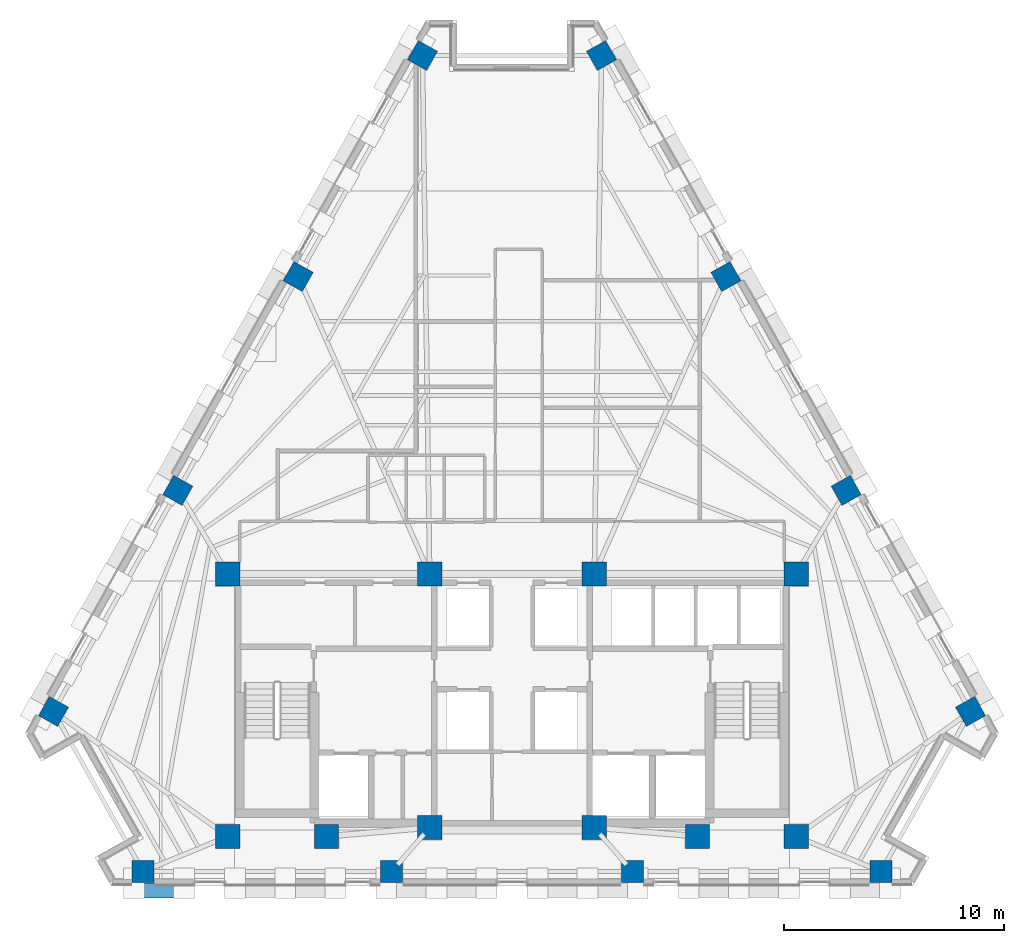
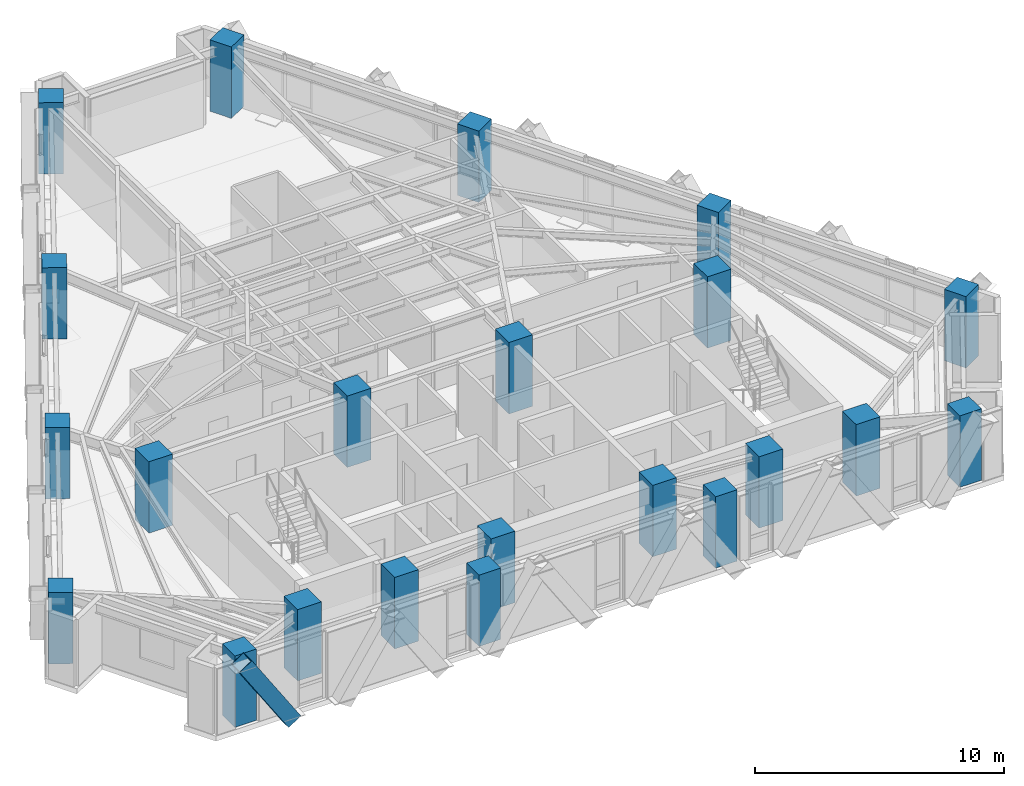
# One storey, part 1 of 13: 22 columns, 1 member.
"""IFC4 building model written with IfcOpenShell, lengths in metres."""

from ifc_helpers import new_model, si_unit, direction, frame, origin, origin_2d, place, context, subcontext, project, spatial, rectangle, hollow_rectangle, extrude, material, material_profile, profile_set, type_object, element, save


model = new_model("IFC4")

# Units and contexts
model_context = context("Model", 3, precision=1e-05, world=origin(), true_north=direction((0.0, 1.0)))
body_context = subcontext(model_context, "Body", "Model", "MODEL_VIEW")
ifc_project = project(units=[si_unit("LENGTHUNIT", "METRE"), si_unit("AREAUNIT", "SQUARE_METRE"), si_unit("VOLUMEUNIT", "CUBIC_METRE"), si_unit("PLANEANGLEUNIT", "RADIAN"), si_unit("MASSUNIT", "GRAM", prefix="KILO")], contexts=[model_context])

# Site, building, storey
site_placement = place(None, origin())
site = spatial("IfcSite", under=ifc_project, at=site_placement, CompositionType="ELEMENT")
building_placement = place(site_placement, origin())
building = spatial("IfcBuilding", under=site, at=building_placement, Name="Quenlor Broadcast Tower", CompositionType="ELEMENT")
storey_placement = place(building_placement, frame((0.0, 0.0, 147.5)))
storey = spatial("IfcBuildingStorey", under=building, at=storey_placement, Name="L40", CompositionType="ELEMENT", Elevation=147.5)

# Columns
ifc_material_1 = material(Name="Concrete C65/80", Category="concrete")
ifc_material_profile_1 = material_profile(ifc_material_1, rectangle(XDim=1.10009765625, YDim=1.10009765625, at=origin_2d()))
ifc_profile_set_1 = profile_set([ifc_material_profile_1], Name="Concrete C65/80 RC1100x1100")
column_type_1 = type_object("IfcColumnType", Name="Core Corner Column Mid Concrete C65/80 1100", PredefinedType="COLUMN", material=ifc_profile_set_1)
for number, where, z_axis, x_axis, name in (
    (1, (-12.949951171875, -16.75, 0.0), (0.0, 0.0, 1.0), (1.0, 0.0, 0.0), "L40 Core Column CC1"),
    (2, (-8.449951171875, -16.75, 0.0), (0.0, 0.0, 1.0), (1.0, 0.0, 0.0), "L40 Core Column CC2"),
    (3, (-3.75, -16.35009765625, 0.0), (0.0, 0.0, 1.0), (1.0, 0.0, 0.0), "L40 Core Column CC3"),
    (4, (3.75, -16.35009765625, 0.0), (0.0, 0.0, 1.0), (1.0, 0.0, 0.0), "L40 Core Column CC4"),
    (5, (8.449951171875, -16.75, 0.0), (0.0, 0.0, 1.0), (1.0, 0.0, 0.0), "L40 Core Column CC5"),
    (6, (12.949951171875, -16.75, 0.0), (0.0, 0.0, 1.0), (1.0, 0.0, 0.0), "L40 Core Column CC6"),
    (7, (-12.949951171875, -4.800048828125, 0.0), (0.0, 0.0, 1.0), (1.0, 0.0, 0.0), "L40 Core Column CC7"),
    (8, (-3.75, -4.800048828125, 0.0), (0.0, 0.0, 1.0), (1.0, 0.0, 0.0), "L40 Core Column CC8"),
    (9, (3.75, -4.800048828125, 0.0), (0.0, 0.0, 1.0), (1.0, 0.0, 0.0), "L40 Core Column CC9"),
    (10, (12.949951171875, -4.800048828125, 0.0), (0.0, 0.0, 1.0), (1.0, 0.0, 0.0), "L40 Core Column CC10"),
):
    element("IfcColumn", number, at=place(storey_placement, frame(where, z_axis=z_axis, x_axis=x_axis)), inside=storey, type_object=column_type_1, Name=name, PredefinedType="COLUMN", context=body_context, shape_type="SweptSolid", body=[
        extrude(rectangle(XDim=1.10009765625, YDim=1.10009765625, at=origin_2d()), origin(), (0.0, 0.0, 1.0), 3.5),
    ])
ifc_material_2 = material(Name="Concrete C50/60", Category="concrete")
ifc_material_profile_2 = material_profile(ifc_material_2, rectangle(XDim=1.0, YDim=1.0, at=origin_2d()))
ifc_profile_set_2 = profile_set([ifc_material_profile_2], Name="Concrete C50/60 RC1000x1000")
column_type_2 = type_object("IfcColumnType", Name="Tower Perimeter Column Z3 Concrete C50/60 1000", PredefinedType="COLUMN", material=ifc_profile_set_2)
for number, where, z_axis, x_axis, name in (
    (11, (-16.808349609375, -18.35009765625, 0.0), (0.0, 0.0, 1.0), (0.0, 1.0, 0.0), "L40 Perimeter Column S1"),
    (12, (-5.48095703125, -18.35009765625, 0.0), (0.0, 0.0, 1.0), (0.0, 1.0, 0.0), "L40 Perimeter Column S2"),
    (13, (5.48095703125, -18.35009765625, 0.0), (0.0, 0.0, 1.0), (0.0, 1.0, 0.0), "L40 Perimeter Column S3"),
    (14, (16.808349609375, -18.35009765625, 0.0), (0.0, 0.0, 1.0), (0.0, 1.0, 0.0), "L40 Perimeter Column S4"),
    (15, (20.8876953125, -11.0595703125, 0.0), (0.0, 0.0, 1.0), (0.871575139605, 0.490261946333, 0.0), "L40 Perimeter Column NE1"),
    (16, (15.22412109375, -0.99072265625, 0.0), (0.0, 0.0, 1.0), (0.871575139605, 0.490261946333, 0.0), "L40 Perimeter Column NE2"),
    (17, (9.742919921875, 8.75341796875, 0.0), (0.0, 0.0, 1.0), (0.871575139605, 0.490261946333, 0.0), "L40 Perimeter Column NE3"),
    (18, (4.079345703125, 18.822021484375, 0.0), (0.0, 0.0, 1.0), (0.871575139605, 0.490261946333, 0.0), "L40 Perimeter Column NE4"),
    (19, (-4.079345703125, 18.822021484375, 0.0), (0.0, 0.0, 1.0), (-0.871575139605, 0.490261946333, 0.0), "L40 Perimeter Column NW1"),
    (20, (-9.742919921875, 8.75341796875, 0.0), (0.0, 0.0, 1.0), (-0.871575139605, 0.490261946333, 0.0), "L40 Perimeter Column NW2"),
    (21, (-15.22412109375, -0.99072265625, 0.0), (0.0, 0.0, 1.0), (-0.871575139605, 0.490261946333, 0.0), "L40 Perimeter Column NW3"),
    (22, (-20.8876953125, -11.0595703125, 0.0), (0.0, 0.0, 1.0), (-0.871575139605, 0.490261946333, 0.0), "L40 Perimeter Column NW4"),
):
    element("IfcColumn", number, at=place(storey_placement, frame(where, z_axis=z_axis, x_axis=x_axis)), inside=storey, type_object=column_type_2, Name=name, PredefinedType="COLUMN", context=body_context, shape_type="SweptSolid", body=[
        extrude(rectangle(XDim=1.0, YDim=1.0, at=origin_2d()), origin(), (0.0, 0.0, 1.0), 3.5),
    ])

# Member
ifc_material_3 = material(Name="Steel S355", Category="steel")
ifc_material_profile_3 = material_profile(ifc_material_3, hollow_rectangle(XDim=0.679931640625, YDim=0.679931640625, WallThickness=0.02490234375, at=origin_2d()))
ifc_profile_set_3 = profile_set([ifc_material_profile_3], Name="Steel S355 RHS680x680x25")
member_type = type_object("IfcMemberType", Name="Perimeter Diagonal Lattice Brace Z3-Z4 Steel S355 RHS680x25", PredefinedType="BRACE", material=ifc_profile_set_3)
member_placement = place(storey_placement, frame((-14.937744140625, -19.219970703125, -0.1201171875), z_axis=(-0.543901560697, 0.0, 0.839149028643), x_axis=(0.0, -1.0, 0.0)))
element("IfcMember", 23, at=member_placement, inside=storey, type_object=member_type, Name="L40 Perimeter Diamond Lattice S-C5S", PredefinedType="BRACE", context=body_context, shape_type="SweptSolid", body=[
    extrude(hollow_rectangle(XDim=0.679931640625, YDim=0.679931640625, WallThickness=0.02490234375, at=origin_2d()), origin(), (0.0, 0.0, 1.0), 4.1708984375),
])

save(model, "model.ifc")
